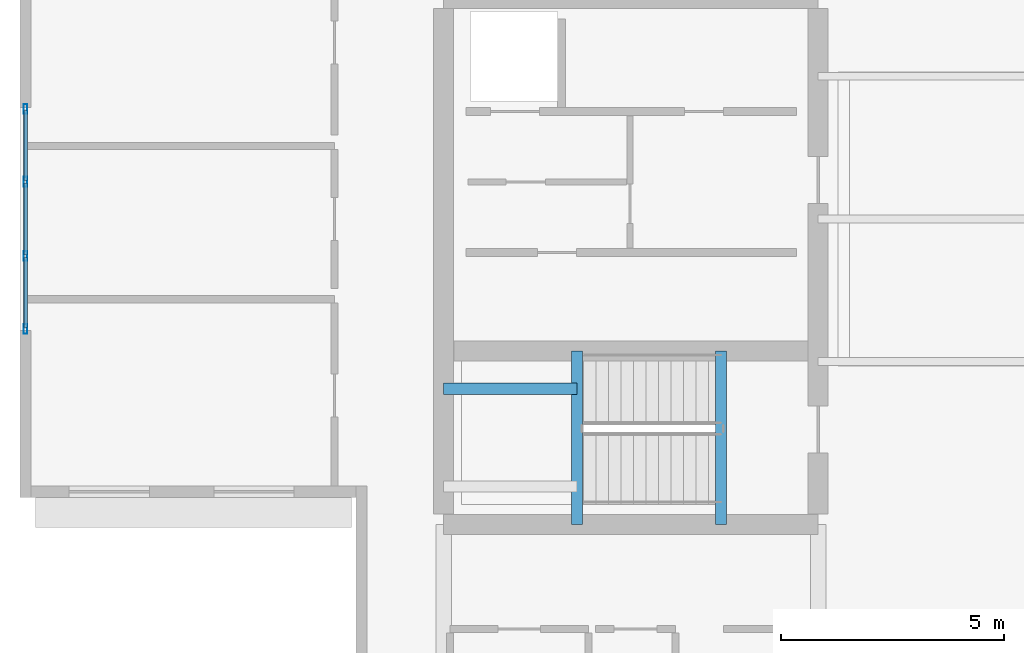
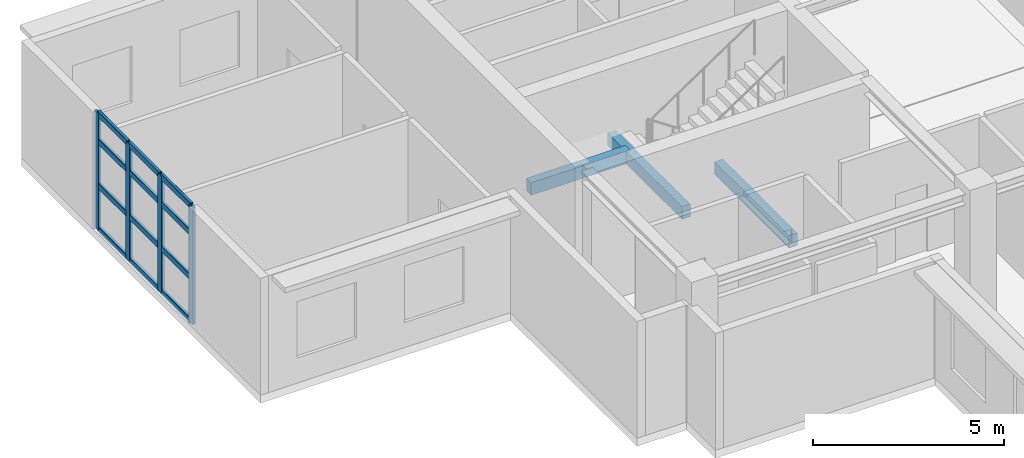
# One storey, part 4 of 16: 16 members, 3 beams, 1 element without a shape of its own.
"""IFC4 building model written with IfcOpenShell, lengths in metres."""

import ifcopenshell
import ifcopenshell.guid

model = None  # the IFC model being written
_history = None  # IfcOwnerHistory: only IFC2X3 demands one
_inside = {}  # id of a spatial element -> (the spatial element, [elements in it])
_under = {}  # id of a project, library or spatial element -> (it, [spatial elements below it])
_declared = {}  # id of a project -> (the project, [libraries it declares])
_typed = {}  # id of a type object -> (the type object, [elements of that type])
_made_of = {}  # id of a material, layer set ... -> (it, [elements and type objects made of it])


def new_model(schema):
    """Start an empty IFC model of exactly this schema.

    Asked for "IFC4X3", IfcOpenShell would pick the latest addendum, in which some entities
    have other attributes; the version numbers below select the first issue.
    IFC2X3 requires an IfcOwnerHistory on every rooted entity: one is made here for all.
    """
    global model, _history
    if schema == "IFC4X3":
        model = ifcopenshell.file(schema_version=(4, 3, 0, 0))
    else:
        model = ifcopenshell.file(schema=schema)
    _inside.clear()
    _under.clear()
    _declared.clear()
    _typed.clear()
    _made_of.clear()
    _history = None
    if model.schema == "IFC2X3":
        org = make("IfcOrganization", Name="unknown")
        user = make(
            "IfcPersonAndOrganization",
            ThePerson=make("IfcPerson", FamilyName="unknown"),
            TheOrganization=org,
        )
        app = make(
            "IfcApplication",
            ApplicationDeveloper=org,
            Version="unknown",
            ApplicationFullName="unknown",
            ApplicationIdentifier="unknown",
        )
        _history = make(
            "IfcOwnerHistory",
            OwningUser=user,
            OwningApplication=app,
            ChangeAction="ADDED",
            CreationDate=0,
        )
    return model


def make(cls, **values):
    """One entity of the class cls with the attributes given. An attribute that is None is left unset."""
    return model.create_entity(
        cls, **{name: value for name, value in values.items() if value is not None}
    )


def rooted(cls, **values):
    """An entity with a GlobalId (a new one), such as an element, a storey or a relation."""
    return make(cls, GlobalId=ifcopenshell.guid.new(), OwnerHistory=_history, **values)


def si_unit(unit_type, name, prefix=None):
    """IfcSIUnit, for example si_unit("LENGTHUNIT", "METRE", prefix="MILLI")."""
    return make("IfcSIUnit", UnitType=unit_type, Prefix=prefix, Name=name)


def assignment(units):
    """IfcUnitAssignment: the units of a project."""
    return None if units is None else make("IfcUnitAssignment", Units=units)


def point(xyz):
    """IfcCartesianPoint."""
    return None if xyz is None else make("IfcCartesianPoint", Coordinates=xyz)


def direction(xyz):
    """IfcDirection."""
    return None if xyz is None else make("IfcDirection", DirectionRatios=xyz)


def frame(location, z_axis=None, x_axis=None):
    """IfcAxis2Placement3D, a coordinate frame: its origin and axes. An axis left out is left unset."""
    return make(
        "IfcAxis2Placement3D",
        Location=point(location),
        Axis=direction(z_axis),
        RefDirection=direction(x_axis),
    )


def frame_2d(location, x_axis=None):
    """IfcAxis2Placement2D, a coordinate frame in the plane: its origin and x axis."""
    return make(
        "IfcAxis2Placement2D", Location=point(location), RefDirection=direction(x_axis)
    )


def origin():
    """The frame at (0, 0, 0) with its axes left unset."""
    return frame((0.0, 0.0, 0.0))


def origin_2d():
    """The frame at (0, 0) in the plane with its x axis left unset."""
    return frame_2d((0.0, 0.0))


def place(relative_to, where):
    """IfcLocalPlacement: puts the frame where relative to a parent placement (None: the world)."""
    return make(
        "IfcLocalPlacement", PlacementRelTo=relative_to, RelativePlacement=where
    )


def context(
    kind, dimensions, precision=None, world=None, true_north=None, identifier=None
):
    """IfcGeometricRepresentationContext, for example the 3D "Model" context."""
    return make(
        "IfcGeometricRepresentationContext",
        ContextIdentifier=identifier,
        ContextType=kind,
        CoordinateSpaceDimension=dimensions,
        Precision=precision,
        WorldCoordinateSystem=world,
        TrueNorth=true_north,
    )


def subcontext(parent, identifier, kind, view, scale=None):
    """IfcGeometricRepresentationSubContext, for example "Body" below "Model"."""
    return make(
        "IfcGeometricRepresentationSubContext",
        ContextIdentifier=identifier,
        ContextType=kind,
        ParentContext=parent,
        TargetScale=scale,
        TargetView=view,
    )


def project(units=None, contexts=None):
    """IfcProject with its units and contexts."""
    return rooted(
        "IfcProject",
        Name="project",
        RepresentationContexts=contexts,
        UnitsInContext=assignment(units),
    )


def spatial(cls, under=None, at=None, **own):
    """A site, building, storey or space (cls), placed at a placement, below another one or the project."""
    s = rooted(cls, ObjectPlacement=at, **own)
    if under is not None:
        _under.setdefault(under.id(), (under, []))[1].append(s)
    return s


def profile(cls, at=None, kind="AREA", **sizes):
    """A parametric profile (cls). Its sizes go by their IFC names, for example OverallWidth=200.0."""
    return make(cls, ProfileType=kind, Position=at, **sizes)


def rectangle(**sizes):
    """IfcRectangleProfileDef."""
    return profile("IfcRectangleProfileDef", **sizes)


def hollow_rectangle(**sizes):
    """IfcRectangleHollowProfileDef."""
    return profile("IfcRectangleHollowProfileDef", **sizes)


def extrude(swept, where, along, depth):
    """IfcExtrudedAreaSolid: the profile swept, set in the frame where, extruded along a direction by depth."""
    return make(
        "IfcExtrudedAreaSolid",
        SweptArea=swept,
        Position=where,
        ExtrudedDirection=direction(along),
        Depth=depth,
    )


def shape(context_of_items, identifier, shape_type, items):
    """IfcShapeRepresentation: the items that make up one representation, for example the "Body"."""
    return make(
        "IfcShapeRepresentation",
        ContextOfItems=context_of_items,
        RepresentationIdentifier=identifier,
        RepresentationType=shape_type,
        Items=items,
    )


def material(Name=None, Category=None):
    """IfcMaterial."""
    return make("IfcMaterial", Name=Name, Category=Category)


def layer(
    of_material, thickness, ventilated=None, Name=None, Category=None, Priority=None
):
    """IfcMaterialLayer: one layer of a wall or slab, of a material (None: an air gap)."""
    return make(
        "IfcMaterialLayer",
        Material=of_material,
        LayerThickness=thickness,
        IsVentilated=ventilated,
        Name=Name,
        Category=Category,
        Priority=Priority,
    )


def layer_set(layers, Name=None):
    """IfcMaterialLayerSet."""
    return make("IfcMaterialLayerSet", MaterialLayers=layers, LayerSetName=Name)


def material_profile(
    of_material, cross_section, Name=None, Category=None, Priority=None
):
    """IfcMaterialProfile: a cross section and its material."""
    return make(
        "IfcMaterialProfile",
        Name=Name,
        Material=of_material,
        Profile=cross_section,
        Priority=Priority,
        Category=Category,
    )


def profile_set(profiles, Name=None, composite=None):
    """IfcMaterialProfileSet."""
    return make(
        "IfcMaterialProfileSet",
        Name=Name,
        MaterialProfiles=profiles,
        CompositeProfile=composite,
    )


def made_of(thing, what):
    """Note that an element or type object is made of a material, layer set ...; save() writes the relation."""
    if what is not None:
        _made_of.setdefault(what.id(), (what, []))[1].append(thing)
    return thing


def type_object(cls, material=None, **own):
    """A type object (cls), such as IfcWallType, which elements share."""
    return made_of(rooted(cls, **own), material)


def element(
    cls,
    number,
    at=None,
    inside=None,
    cuts=None,
    type_object=None,
    material=None,
    context=None,
    identifier="Body",
    shape_type=None,
    held_by="IfcProductDefinitionShape",
    body=None,
    shapes=None,
    **own,
):
    """One element of the class cls, such as IfcWall. Its Tag is "e" and its number.

    at: its placement. inside: the storey or other place that contains it. cuts: it is an
    opening in that element (IfcRelVoidsElement). A single representation is given by context,
    identifier, shape_type and body (its items); several are given by shapes. held_by: the class
    of the entity that holds the representations. save() writes the other relations.
    """
    e = rooted(cls, Tag="e%d" % number, ObjectPlacement=at, **own)
    if body is not None:
        shapes = [shape(context, identifier, shape_type, body)]
    if shapes is not None:
        e.Representation = make(held_by, Representations=shapes)
    if inside is not None:
        _inside.setdefault(inside.id(), (inside, []))[1].append(e)
    if cuts is not None:
        rooted(
            "IfcRelVoidsElement", RelatingBuildingElement=cuts, RelatedOpeningElement=e
        )
    if type_object is not None:
        _typed.setdefault(type_object.id(), (type_object, []))[1].append(e)
    return made_of(e, material)


def aggregate(whole, parts):
    """IfcRelAggregates: a whole, such as a stair, and the parts it consists of."""
    return rooted("IfcRelAggregates", RelatingObject=whole, RelatedObjects=parts)


def save(model, path):
    """Write the relations noted so far, then the file.

    IfcRelAggregates (storeys below a building ...), IfcRelContainedInSpatialStructure (elements
    in a storey), IfcRelDefinesByType, IfcRelAssociatesMaterial and IfcRelDeclares: one each for
    every whole, place, type object, material and project.
    """
    for whole, parts in _under.values():
        aggregate(whole, parts)
    for where, things in _inside.values():
        rooted(
            "IfcRelContainedInSpatialStructure",
            RelatedElements=things,
            RelatingStructure=where,
        )
    for kind, things in _typed.values():
        rooted("IfcRelDefinesByType", RelatedObjects=things, RelatingType=kind)
    for what, things in _made_of.values():
        rooted("IfcRelAssociatesMaterial", RelatedObjects=things, RelatingMaterial=what)
    for by, libraries in _declared.values():
        rooted("IfcRelDeclares", RelatingContext=by, RelatedDefinitions=libraries)
    model.write(path)


model = new_model("IFC4")

# Units and contexts
model_context = context("Model", 3, precision=1e-05, world=origin(), true_north=direction((0.0, 1.0)))
body_context = subcontext(model_context, "Body", "Model", "MODEL_VIEW")
ifc_project = project(units=[si_unit("LENGTHUNIT", "METRE"), si_unit("AREAUNIT", "SQUARE_METRE"), si_unit("VOLUMEUNIT", "CUBIC_METRE"), si_unit("PLANEANGLEUNIT", "RADIAN"), si_unit("MASSUNIT", "GRAM", prefix="KILO")], contexts=[model_context])

# Site, building, storey
site_placement = place(None, origin())
site = spatial("IfcSite", under=ifc_project, at=site_placement, CompositionType="ELEMENT")
building_placement = place(site_placement, origin())
building = spatial("IfcBuilding", under=site, at=building_placement, Name="Qingluan Cross Belvedere", CompositionType="ELEMENT")
storey_placement = place(building_placement, frame((0.0, 0.0, 308.39990234375)))
storey = spatial("IfcBuildingStorey", under=building, at=storey_placement, Name="L76", CompositionType="ELEMENT", Elevation=308.39990234375)

# Curtain wall, members
ifc_material_1 = material(Name="Thermally broken aluminium and Low-E glass", Category="aluminium")
ifc_layer = layer(ifc_material_1, 0.199951171875, Name="ObservationCW_SkyRestaurant")
ifc_layer_set = layer_set([ifc_layer], Name="Thermally broken aluminium and Low-E glass")
curtain_wall_type = type_object("IfcCurtainWallType", Name="ObservationCW_SkyRestaurant", PredefinedType="USERDEFINED", material=ifc_layer_set)
curtain_wall_placement = place(storey_placement, origin())
curtain_wall = element("IfcCurtainWall", 1, at=curtain_wall_placement, inside=storey, type_object=curtain_wall_type, Name="ObservationCW_SkyRestaurant run env:cw:L76:W", ObjectType="OBSERVATION GLAZING WALL", PredefinedType="USERDEFINED")
ifc_material_2 = material(Name="Aluminium alloy 6063-T6", Category="aluminium")
ifc_material_profile_1 = material_profile(ifc_material_2, hollow_rectangle(XDim=0.0849609375, YDim=0.219970703125, WallThickness=0.0048828125, InnerFilletRadius=0.0048828125, OuterFilletRadius=0.010009765625, at=origin_2d()), Name="CWM220x85x5")
ifc_profile_set_1 = profile_set([ifc_material_profile_1], Name="Aluminium alloy 6063-T6")
member_type_1 = type_object("IfcMemberType", Name="CWMullion_220", PredefinedType="MULLION", material=ifc_profile_set_1)
member_1_placement = place(storey_placement, frame((-21.780029296875, 2.468017578125, 0.0), z_axis=(0.0, 0.0, 1.0), x_axis=(1.0, 0.0, 0.0)))
member_1 = element("IfcMember", 2, at=member_1_placement, type_object=member_type_1, Name="CW-C2 mullion 1", PredefinedType="MULLION", context=body_context, shape_type="SweptSolid", body=[
    extrude(hollow_rectangle(XDim=0.0849609375, YDim=0.219970703125, WallThickness=0.0048828125, InnerFilletRadius=0.0048828125, OuterFilletRadius=0.010009765625, at=origin_2d()), origin(), (0.0, 0.0, 1.0), 3.72998046875),
])
member_2_placement = place(storey_placement, frame((-21.780029296875, 0.832763671875, 0.0), z_axis=(0.0, 0.0, 1.0), x_axis=(1.0, 0.0, 0.0)))
member_2 = element("IfcMember", 3, at=member_2_placement, type_object=member_type_1, Name="CW-C2 mullion 2", PredefinedType="MULLION", context=body_context, shape_type="SweptSolid", body=[
    extrude(hollow_rectangle(XDim=0.0849609375, YDim=0.219970703125, WallThickness=0.0048828125, InnerFilletRadius=0.0048828125, OuterFilletRadius=0.010009765625, at=origin_2d()), origin(), (0.0, 0.0, 1.0), 3.72998046875),
])
member_3_placement = place(storey_placement, frame((-21.780029296875, -0.832763671875, 0.0), z_axis=(0.0, 0.0, 1.0), x_axis=(1.0, 0.0, 0.0)))
member_3 = element("IfcMember", 4, at=member_3_placement, type_object=member_type_1, Name="CW-C2 mullion 3", PredefinedType="MULLION", context=body_context, shape_type="SweptSolid", body=[
    extrude(hollow_rectangle(XDim=0.0849609375, YDim=0.219970703125, WallThickness=0.0048828125, InnerFilletRadius=0.0048828125, OuterFilletRadius=0.010009765625, at=origin_2d()), origin(), (0.0, 0.0, 1.0), 3.72998046875),
])
member_4_placement = place(storey_placement, frame((-21.780029296875, -2.468017578125, 0.0), z_axis=(0.0, 0.0, 1.0), x_axis=(1.0, 0.0, 0.0)))
member_4 = element("IfcMember", 5, at=member_4_placement, type_object=member_type_1, Name="CW-C2 mullion 4", PredefinedType="MULLION", context=body_context, shape_type="SweptSolid", body=[
    extrude(hollow_rectangle(XDim=0.0849609375, YDim=0.219970703125, WallThickness=0.0048828125, InnerFilletRadius=0.0048828125, OuterFilletRadius=0.010009765625, at=origin_2d()), origin(), (0.0, 0.0, 1.0), 3.72998046875),
])
ifc_material_3 = material(Name="Aluminium alloy 6063-T6", Category="aluminium")
ifc_material_profile_2 = material_profile(ifc_material_3, hollow_rectangle(XDim=0.0849609375, YDim=0.179931640625, WallThickness=0.00390625, InnerFilletRadius=0.00390625, OuterFilletRadius=0.008056640625, at=origin_2d()), Name="CWT180x85x4")
ifc_profile_set_2 = profile_set([ifc_material_profile_2], Name="Aluminium alloy 6063-T6")
member_type_2 = type_object("IfcMemberType", Name="CWTransom_180", PredefinedType="USERDEFINED", material=ifc_profile_set_2)
member_5_placement = place(storey_placement, frame((-21.780029296875, 2.43798828125, 0.030029296875), z_axis=(0.0, -1.0, 0.0), x_axis=(1.0, 0.0, 0.0)))
member_5 = element("IfcMember", 6, at=member_5_placement, type_object=member_type_2, Name="CW-C2 transom 1.1", ObjectType="TRANSOM", PredefinedType="USERDEFINED", context=body_context, shape_type="SweptSolid", body=[
    extrude(hollow_rectangle(XDim=0.0849609375, YDim=0.179931640625, WallThickness=0.00390625, InnerFilletRadius=0.00390625, OuterFilletRadius=0.008056640625, at=origin_2d()), origin(), (0.0, 0.0, 1.0), 1.575439453125),
])
member_6_placement = place(storey_placement, frame((-21.780029296875, 2.43798828125, 1.4169921875), z_axis=(0.0, -1.0, 0.0), x_axis=(1.0, 0.0, 0.0)))
member_6 = element("IfcMember", 7, at=member_6_placement, type_object=member_type_2, Name="CW-C2 transom 1.2", ObjectType="TRANSOM", PredefinedType="USERDEFINED", context=body_context, shape_type="SweptSolid", body=[
    extrude(hollow_rectangle(XDim=0.0849609375, YDim=0.179931640625, WallThickness=0.00390625, InnerFilletRadius=0.00390625, OuterFilletRadius=0.008056640625, at=origin_2d()), origin(), (0.0, 0.0, 1.0), 1.575439453125),
])
member_7_placement = place(storey_placement, frame((-21.780029296875, 2.43798828125, 2.835205078125), z_axis=(0.0, -1.0, 0.0), x_axis=(1.0, 0.0, 0.0)))
member_7 = element("IfcMember", 8, at=member_7_placement, type_object=member_type_2, Name="CW-C2 transom 1.3", ObjectType="TRANSOM", PredefinedType="USERDEFINED", context=body_context, shape_type="SweptSolid", body=[
    extrude(hollow_rectangle(XDim=0.0849609375, YDim=0.179931640625, WallThickness=0.00390625, InnerFilletRadius=0.00390625, OuterFilletRadius=0.008056640625, at=origin_2d()), origin(), (0.0, 0.0, 1.0), 1.575439453125),
])
member_8_placement = place(storey_placement, frame((-21.780029296875, 2.43798828125, 3.7001953125), z_axis=(0.0, -1.0, 0.0), x_axis=(1.0, 0.0, 0.0)))
member_8 = element("IfcMember", 9, at=member_8_placement, type_object=member_type_2, Name="CW-C2 transom 1.4", ObjectType="TRANSOM", PredefinedType="USERDEFINED", context=body_context, shape_type="SweptSolid", body=[
    extrude(hollow_rectangle(XDim=0.0849609375, YDim=0.179931640625, WallThickness=0.00390625, InnerFilletRadius=0.00390625, OuterFilletRadius=0.008056640625, at=origin_2d()), origin(), (0.0, 0.0, 1.0), 1.575439453125),
])
member_9_placement = place(storey_placement, frame((-21.780029296875, 0.802734375, 0.030029296875), z_axis=(0.0, -1.0, 0.0), x_axis=(1.0, 0.0, 0.0)))
member_9 = element("IfcMember", 10, at=member_9_placement, type_object=member_type_2, Name="CW-C2 transom 2.1", ObjectType="TRANSOM", PredefinedType="USERDEFINED", context=body_context, shape_type="SweptSolid", body=[
    extrude(hollow_rectangle(XDim=0.0849609375, YDim=0.179931640625, WallThickness=0.00390625, InnerFilletRadius=0.00390625, OuterFilletRadius=0.008056640625, at=origin_2d()), origin(), (0.0, 0.0, 1.0), 1.60546875),
])
member_10_placement = place(storey_placement, frame((-21.780029296875, 0.802734375, 1.4169921875), z_axis=(0.0, -1.0, 0.0), x_axis=(1.0, 0.0, 0.0)))
member_10 = element("IfcMember", 11, at=member_10_placement, type_object=member_type_2, Name="CW-C2 transom 2.2", ObjectType="TRANSOM", PredefinedType="USERDEFINED", context=body_context, shape_type="SweptSolid", body=[
    extrude(hollow_rectangle(XDim=0.0849609375, YDim=0.179931640625, WallThickness=0.00390625, InnerFilletRadius=0.00390625, OuterFilletRadius=0.008056640625, at=origin_2d()), origin(), (0.0, 0.0, 1.0), 1.60546875),
])
member_11_placement = place(storey_placement, frame((-21.780029296875, 0.802734375, 2.835205078125), z_axis=(0.0, -1.0, 0.0), x_axis=(1.0, 0.0, 0.0)))
member_11 = element("IfcMember", 12, at=member_11_placement, type_object=member_type_2, Name="CW-C2 transom 2.3", ObjectType="TRANSOM", PredefinedType="USERDEFINED", context=body_context, shape_type="SweptSolid", body=[
    extrude(hollow_rectangle(XDim=0.0849609375, YDim=0.179931640625, WallThickness=0.00390625, InnerFilletRadius=0.00390625, OuterFilletRadius=0.008056640625, at=origin_2d()), origin(), (0.0, 0.0, 1.0), 1.60546875),
])
member_12_placement = place(storey_placement, frame((-21.780029296875, 0.802734375, 3.7001953125), z_axis=(0.0, -1.0, 0.0), x_axis=(1.0, 0.0, 0.0)))
member_12 = element("IfcMember", 13, at=member_12_placement, type_object=member_type_2, Name="CW-C2 transom 2.4", ObjectType="TRANSOM", PredefinedType="USERDEFINED", context=body_context, shape_type="SweptSolid", body=[
    extrude(hollow_rectangle(XDim=0.0849609375, YDim=0.179931640625, WallThickness=0.00390625, InnerFilletRadius=0.00390625, OuterFilletRadius=0.008056640625, at=origin_2d()), origin(), (0.0, 0.0, 1.0), 1.60546875),
])
member_13_placement = place(storey_placement, frame((-21.780029296875, -0.862548828125, 0.030029296875), z_axis=(0.0, -1.0, 0.0), x_axis=(1.0, 0.0, 0.0)))
member_13 = element("IfcMember", 14, at=member_13_placement, type_object=member_type_2, Name="CW-C2 transom 3.1", ObjectType="TRANSOM", PredefinedType="USERDEFINED", context=body_context, shape_type="SweptSolid", body=[
    extrude(hollow_rectangle(XDim=0.0849609375, YDim=0.179931640625, WallThickness=0.00390625, InnerFilletRadius=0.00390625, OuterFilletRadius=0.008056640625, at=origin_2d()), origin(), (0.0, 0.0, 1.0), 1.575439453125),
])
member_14_placement = place(storey_placement, frame((-21.780029296875, -0.862548828125, 1.4169921875), z_axis=(0.0, -1.0, 0.0), x_axis=(1.0, 0.0, 0.0)))
member_14 = element("IfcMember", 15, at=member_14_placement, type_object=member_type_2, Name="CW-C2 transom 3.2", ObjectType="TRANSOM", PredefinedType="USERDEFINED", context=body_context, shape_type="SweptSolid", body=[
    extrude(hollow_rectangle(XDim=0.0849609375, YDim=0.179931640625, WallThickness=0.00390625, InnerFilletRadius=0.00390625, OuterFilletRadius=0.008056640625, at=origin_2d()), origin(), (0.0, 0.0, 1.0), 1.575439453125),
])
member_15_placement = place(storey_placement, frame((-21.780029296875, -0.862548828125, 2.835205078125), z_axis=(0.0, -1.0, 0.0), x_axis=(1.0, 0.0, 0.0)))
member_15 = element("IfcMember", 16, at=member_15_placement, type_object=member_type_2, Name="CW-C2 transom 3.3", ObjectType="TRANSOM", PredefinedType="USERDEFINED", context=body_context, shape_type="SweptSolid", body=[
    extrude(hollow_rectangle(XDim=0.0849609375, YDim=0.179931640625, WallThickness=0.00390625, InnerFilletRadius=0.00390625, OuterFilletRadius=0.008056640625, at=origin_2d()), origin(), (0.0, 0.0, 1.0), 1.575439453125),
])
member_16_placement = place(storey_placement, frame((-21.780029296875, -0.862548828125, 3.7001953125), z_axis=(0.0, -1.0, 0.0), x_axis=(1.0, 0.0, 0.0)))
member_16 = element("IfcMember", 17, at=member_16_placement, type_object=member_type_2, Name="CW-C2 transom 3.4", ObjectType="TRANSOM", PredefinedType="USERDEFINED", context=body_context, shape_type="SweptSolid", body=[
    extrude(hollow_rectangle(XDim=0.0849609375, YDim=0.179931640625, WallThickness=0.00390625, InnerFilletRadius=0.00390625, OuterFilletRadius=0.008056640625, at=origin_2d()), origin(), (0.0, 0.0, 1.0), 1.575439453125),
])
aggregate(curtain_wall, [member_1, member_2, member_3, member_4, member_5, member_6, member_7, member_8, member_9, member_10, member_11, member_12, member_13, member_14, member_15, member_16])

# Beams
ifc_material_4 = material(Name="Concrete C45", Category="concrete")
ifc_material_profile_3 = material_profile(ifc_material_4, rectangle(XDim=0.25, YDim=0.39990234375, at=origin_2d()), Name="RC250x400")
ifc_profile_set_3 = profile_set([ifc_material_profile_3], Name="Concrete C45")
beam_type = type_object("IfcBeamType", Name="RC_Lintel_RC250x400", PredefinedType="LINTEL", material=ifc_profile_set_3)
for number, where, z_axis, x_axis, name in (
    (18, (-6.179931640625, -6.85009765625, -0.199951171875), (0.0, 1.0, 0.0), (-1.0, 0.0, 0.0), "Stair ST1 landing beam L76"),
    (19, (-9.409912109375, -6.85009765625, 1.85009765625), (0.0, 1.0, 0.0), (-1.0, 0.0, 0.0), "Stair ST1 beam A L76"),
):
    element("IfcBeam", number, at=place(storey_placement, frame(where, z_axis=z_axis, x_axis=x_axis)), inside=storey, type_object=beam_type, Name=name, PredefinedType="LINTEL", context=body_context, shape_type="SweptSolid", body=[
        extrude(rectangle(XDim=0.25, YDim=0.39990234375, at=origin_2d()), origin(), (0.0, 0.0, 1.0), 3.89013671875),
    ])
beam_placement = place(storey_placement, frame((-12.39990234375, -3.81005859375, 1.85009765625), z_axis=(1.0, 0.0, 0.0), x_axis=(0.0, 1.0, 0.0)))
element("IfcBeam", 20, at=beam_placement, inside=storey, type_object=beam_type, Name="Stair ST1 beam C L76", PredefinedType="LINTEL", context=body_context, shape_type="SweptSolid", body=[
    extrude(rectangle(XDim=0.25, YDim=0.39990234375, at=origin_2d()), origin(), (0.0, 0.0, 1.0), 2.989990234375),
])

save(model, "model.ifc")
